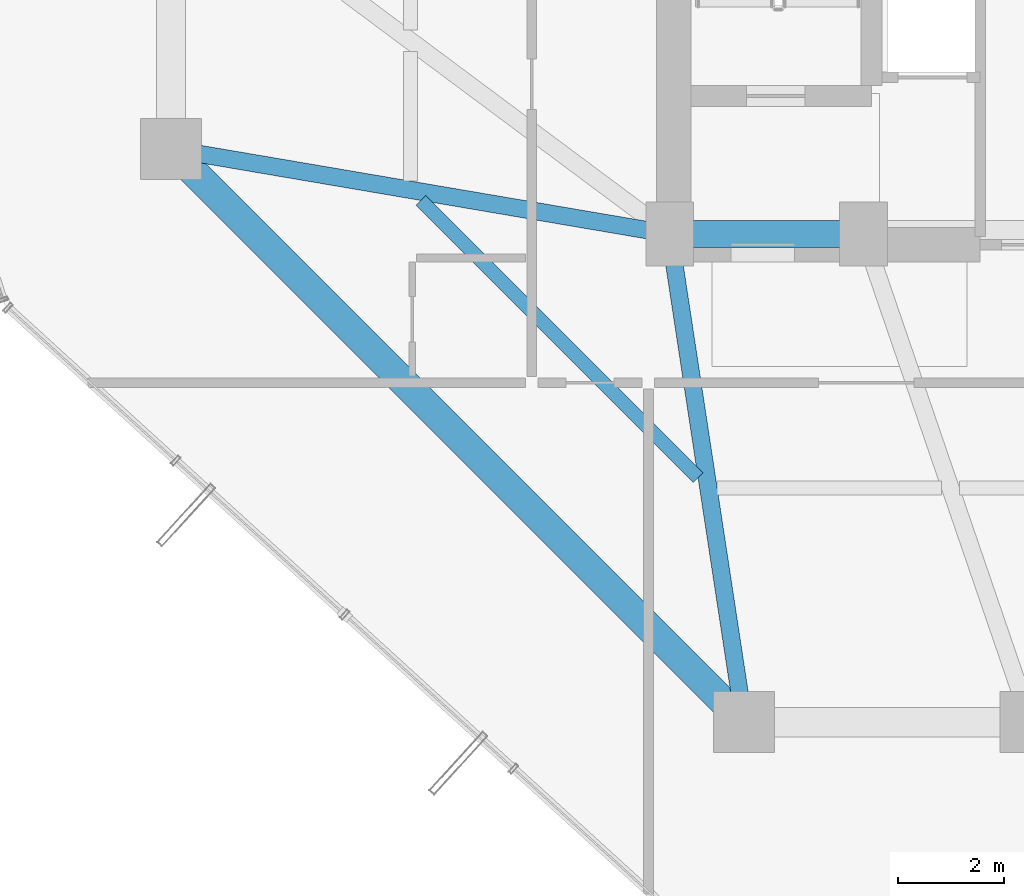
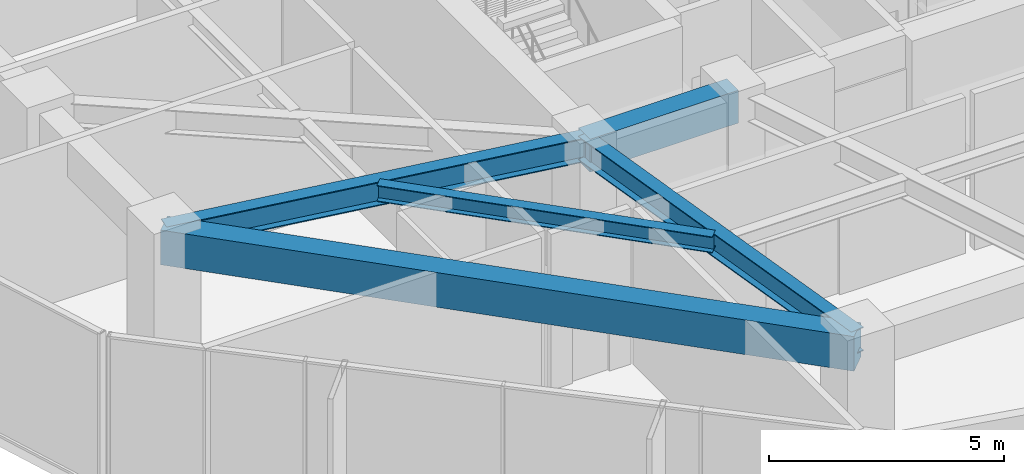
# One storey, part 6 of 28: 5 beams.
"""IFC4 building model written with IfcOpenShell, lengths in metres."""

from ifc_helpers import new_model, si_unit, direction, frame, origin, origin_2d, place, context, subcontext, project, spatial, rectangle, i_section, extrude, material, material_profile, profile_set, type_object, element, save


model = new_model("IFC4")

# Units and contexts
model_context = context("Model", 3, precision=1e-05, world=origin(), true_north=direction((0.0, 1.0)))
body_context = subcontext(model_context, "Body", "Model", "MODEL_VIEW")
ifc_project = project(units=[si_unit("LENGTHUNIT", "METRE"), si_unit("AREAUNIT", "SQUARE_METRE"), si_unit("VOLUMEUNIT", "CUBIC_METRE"), si_unit("PLANEANGLEUNIT", "RADIAN"), si_unit("MASSUNIT", "GRAM", prefix="KILO")], contexts=[model_context])

# Site, building, storey
site_placement = place(None, origin())
site = spatial("IfcSite", under=ifc_project, at=site_placement, CompositionType="ELEMENT")
building_placement = place(site_placement, origin())
building = spatial("IfcBuilding", under=site, at=building_placement, Name="Veraguas Prism Commons", CompositionType="ELEMENT")
storey_placement = place(building_placement, frame((0.0, 0.0, 85.14990234375)))
storey = spatial("IfcBuildingStorey", under=building, at=storey_placement, Name="L23", CompositionType="ELEMENT", Elevation=85.14990234375)

# Beams
ifc_material_1 = material(Name="Concrete C50/60", Category="concrete")
ifc_material_profile_1 = material_profile(ifc_material_1, rectangle(XDim=0.5, YDim=0.85009765625, at=origin_2d()), Name="RC500X850")
ifc_profile_set_1 = profile_set([ifc_material_profile_1], Name="Concrete C50/60")
beam_type_1 = type_object("IfcBeamType", Name="Core Coupling Beam RC 500x850", PredefinedType="BEAM", material=ifc_profile_set_1)
beam_1_placement = place(storey_placement, frame((17.199951171875, 17.0, 3.625), z_axis=(1.0, 0.0, 0.0), x_axis=(0.0, 1.0, 0.0)))
element("IfcBeam", 1, at=beam_1_placement, inside=storey, type_object=beam_type_1, Name="Core Coupling Beam L23-CRS1", PredefinedType="BEAM", context=body_context, shape_type="SweptSolid", body=[
    extrude(rectangle(XDim=0.5, YDim=0.85009765625, at=origin_2d()), origin(), (0.0, 0.0, 1.0), 3.650146484375),
])
ifc_material_2 = material(Name="Steel ASTM A992 Grade 50", Category="steel")
ifc_material_profile_2 = material_profile(ifc_material_2, i_section(OverallWidth=0.260986328125, OverallDepth=0.419921875, WebThickness=0.01171875, FlangeThickness=0.019287109375, at=origin_2d()), Name="W410X114")
ifc_profile_set_2 = profile_set([ifc_material_profile_2], Name="Steel ASTM A992 Grade 50")
beam_type_2 = type_object("IfcBeamType", Name="Lower Floor Joist W410x114", PredefinedType="JOIST", material=ifc_profile_set_2)
beam_2_placement = place(storey_placement, frame((12.510009765625, 17.634033203125, 3.840087890625), z_axis=(0.707090260193, -0.707123301794, 0.0), x_axis=(0.707123301794, 0.707090260193, 0.0)))
element("IfcBeam", 2, at=beam_2_placement, inside=storey, type_object=beam_type_2, Name="Composite Floor Joist L23-JS09", PredefinedType="JOIST", context=body_context, shape_type="SweptSolid", body=[
    extrude(i_section(OverallWidth=0.260986328125, OverallDepth=0.419921875, WebThickness=0.01171875, FlangeThickness=0.019287109375, at=origin_2d()), origin(), (0.0, 0.0, 1.0), 7.388916015625),
])
ifc_material_profile_3 = material_profile(ifc_material_1, rectangle(XDim=0.550048828125, YDim=0.89990234375, at=origin_2d()), Name="RC550X900")
ifc_profile_set_3 = profile_set([ifc_material_profile_3], Name="Concrete C50/60")
beam_type_3 = type_object("IfcBeamType", Name="Perimeter Spandrel Lower RC 550x900", PredefinedType="SPANDREL", material=ifc_profile_set_3)
beam_3_placement = place(storey_placement, frame((7.800048828125, 18.60009765625, 3.60009765625), z_axis=(0.707106781187, -0.707106781187, 0.0), x_axis=(0.707106781187, 0.707106781187, 0.0)))
element("IfcBeam", 3, at=beam_3_placement, inside=storey, type_object=beam_type_3, Name="Perimeter Spandrel Beam L23-SP09", PredefinedType="SPANDREL", context=body_context, shape_type="SweptSolid", body=[
    extrude(rectangle(XDim=0.550048828125, YDim=0.89990234375, at=origin_2d()), origin(), (0.0, 0.0, 1.0), 15.273681640625),
])
ifc_material_profile_4 = material_profile(ifc_material_2, i_section(OverallWidth=0.327880859375, OverallDepth=0.6220703125, WebThickness=0.015380859375, FlangeThickness=0.0244140625, at=origin_2d()), Name="W610X195")
ifc_profile_set_4 = profile_set([ifc_material_profile_4], Name="Steel ASTM A992 Grade 50")
beam_type_4 = type_object("IfcBeamType", Name="Zone 2 Radial Girder W610x195", PredefinedType="BEAM", material=ifc_profile_set_4)
beam_4_placement = place(storey_placement, frame((7.800048828125, 18.60009765625, 3.739013671875), z_axis=(0.985819187151, -0.1678109956, 0.0), x_axis=(0.1678109956, 0.985819187151, 0.0)))
element("IfcBeam", 4, at=beam_4_placement, inside=storey, type_object=beam_type_4, Name="Radial Floor Girder L23-RD09", PredefinedType="BEAM", context=body_context, shape_type="SweptSolid", body=[
    extrude(i_section(OverallWidth=0.327880859375, OverallDepth=0.6220703125, WebThickness=0.015380859375, FlangeThickness=0.0244140625, at=origin_2d()), origin(), (0.0, 0.0, 1.0), 9.53515625),
])
beam_5_placement = place(storey_placement, frame((18.60009765625, 7.800048828125, 3.739013671875), z_axis=(-0.150458162136, 0.98861637729, 0.0), x_axis=(-0.98861637729, -0.150458162136, 0.0)))
element("IfcBeam", 5, at=beam_5_placement, inside=storey, type_object=beam_type_4, Name="Radial Floor Girder L23-RD10", PredefinedType="BEAM", context=body_context, shape_type="SweptSolid", body=[
    extrude(i_section(OverallWidth=0.327880859375, OverallDepth=0.6220703125, WebThickness=0.015380859375, FlangeThickness=0.0244140625, at=origin_2d()), origin(), (0.0, 0.0, 1.0), 9.305908203125),
])

save(model, "model.ifc")
